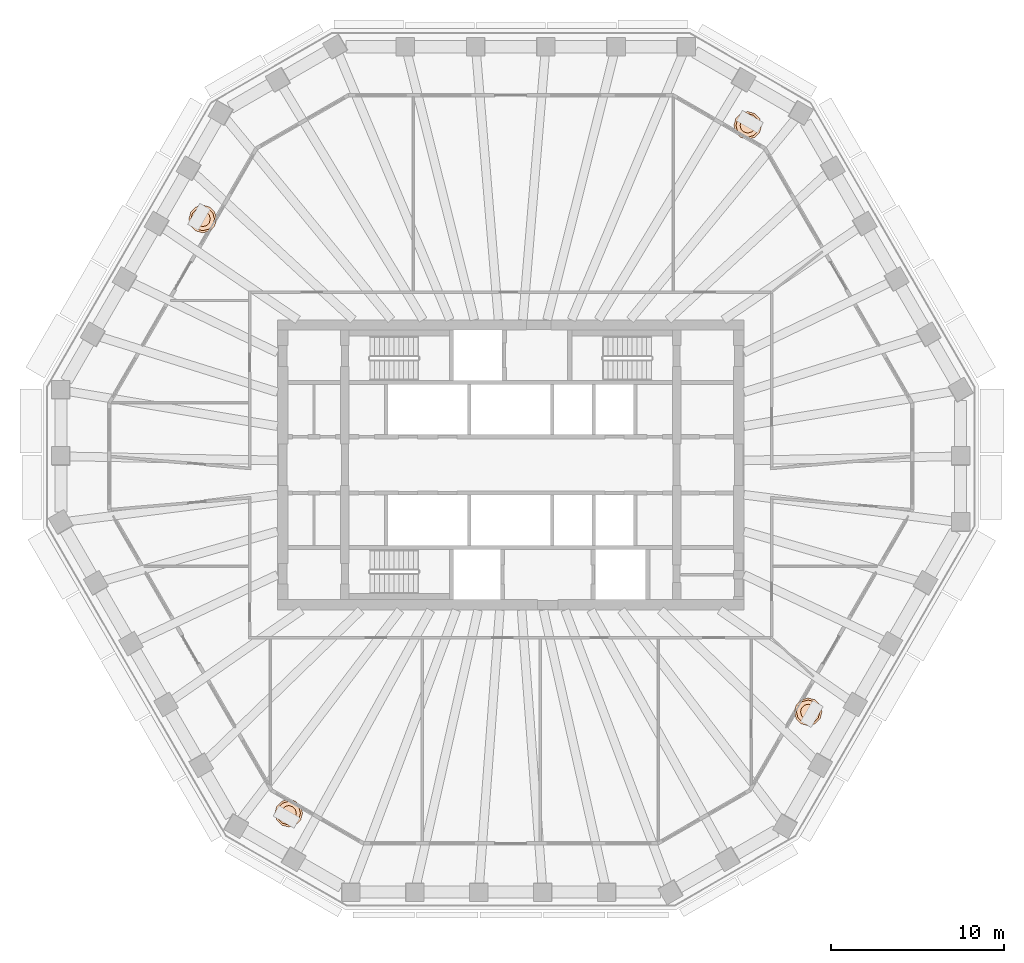
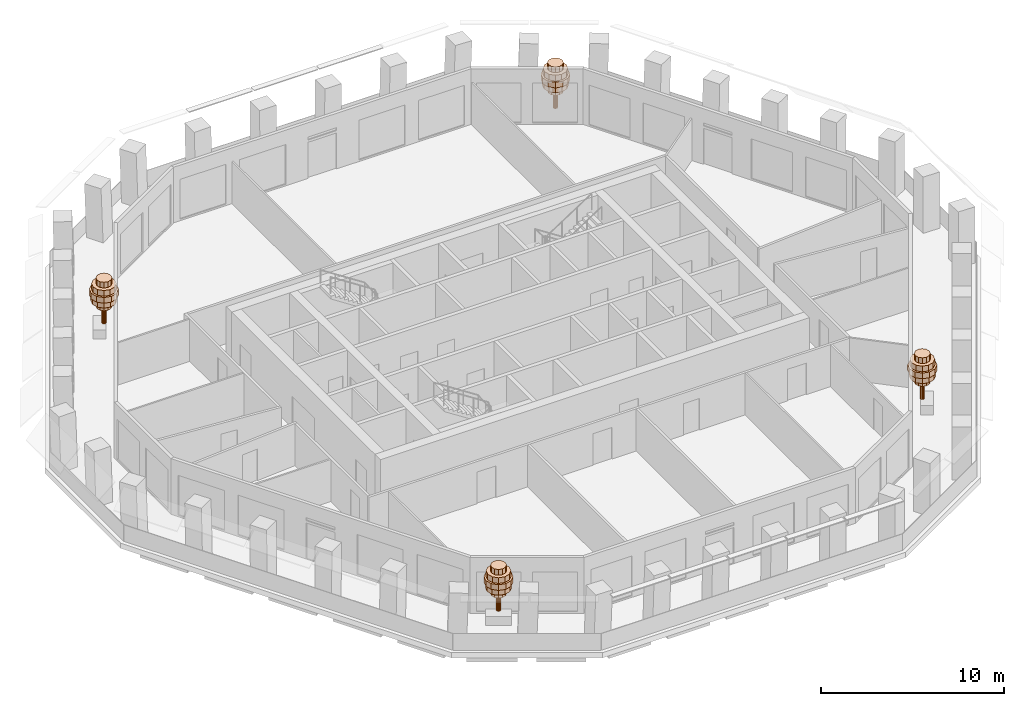
# One storey, part 12 of 12: 4 geographic elements.
"""IFC4 building model written with IfcOpenShell, lengths in metres."""

from ifc_helpers import new_model, si_unit, direction, frame, origin, place, context, subcontext, project, spatial, polyline, outline, extrude, material, type_object, element, save


model = new_model("IFC4")

# Units and contexts
model_context = context("Model", 3, precision=1e-05, world=origin(), true_north=direction((0.0, 1.0)))
body_context = subcontext(model_context, "Body", "Model", "MODEL_VIEW")
ifc_project = project(units=[si_unit("LENGTHUNIT", "METRE"), si_unit("AREAUNIT", "SQUARE_METRE"), si_unit("VOLUMEUNIT", "CUBIC_METRE"), si_unit("PLANEANGLEUNIT", "RADIAN"), si_unit("MASSUNIT", "GRAM", prefix="KILO")], contexts=[model_context])

# Site, building, storey
site_placement = place(None, origin())
site = spatial("IfcSite", under=ifc_project, at=site_placement, CompositionType="ELEMENT")
building_placement = place(site_placement, origin())
building = spatial("IfcBuilding", under=site, at=building_placement, Name="Frailejon Research Tower", CompositionType="ELEMENT")
storey_placement = place(building_placement, frame((0.0, 0.0, 227.39990234375)))
storey = spatial("IfcBuildingStorey", under=building, at=storey_placement, Name="L49", CompositionType="ELEMENT", Elevation=227.39990234375)

# Geographic elements
ifc_material = material(Name="Foliage, green")
geographic_element_type = type_object("IfcGeographicElementType", Name="Frailejon tree, loggia", PredefinedType="USERDEFINED", material=ifc_material)
geographic_element_1_placement = place(storey_placement, frame((13.716552734375, 19.64892578125, 0.60009765625)))
element("IfcGeographicElement", 1, at=geographic_element_1_placement, inside=storey, type_object=geographic_element_type, Name="Tree L49", ObjectType="TREE", PredefinedType="USERDEFINED", context=body_context, shape_type="SweptSolid", body=[
    extrude(outline(polyline([(0.1298828125, 0.0), (0.112548828125, 0.06494140625), (0.06494140625, 0.112548828125), (0.0, 0.1298828125), (-0.06494140625, 0.112548828125), (-0.112548828125, 0.06494140625), (-0.1298828125, 0.0), (-0.112548828125, -0.06494140625), (-0.06494140625, -0.112548828125), (0.0, -0.1298828125), (0.06494140625, -0.112548828125), (0.112548828125, -0.06494140625), (0.1298828125, 0.0)])), origin(), (0.0, 0.0, 1.0), 2.239990234375),
    extrude(outline(polyline([(0.43994140625, 0.0), (0.381103515625, 0.219970703125), (0.219970703125, 0.381103515625), (0.0, 0.43994140625), (-0.219970703125, 0.381103515625), (-0.381103515625, 0.219970703125), (-0.43994140625, 0.0), (-0.381103515625, -0.219970703125), (-0.219970703125, -0.381103515625), (0.0, -0.43994140625), (0.219970703125, -0.381103515625), (0.381103515625, -0.219970703125), (0.43994140625, 0.0)])), frame((0.0, 0.0, 1.10009765625)), (0.0, 0.0, 1.0), 0.3798828125),
    extrude(outline(polyline([(0.719970703125, 0.0), (0.62353515625, 0.360107421875), (0.360107421875, 0.62353515625), (0.0, 0.719970703125), (-0.360107421875, 0.62353515625), (-0.62353515625, 0.360107421875), (-0.719970703125, 0.0), (-0.62353515625, -0.360107421875), (-0.360107421875, -0.62353515625), (0.0, -0.719970703125), (0.360107421875, -0.62353515625), (0.62353515625, -0.360107421875), (0.719970703125, 0.0)])), frame((0.0, 0.0, 1.47998046875)), (0.0, 0.0, 1.0), 0.3798828125),
    extrude(outline(polyline([(0.800048828125, 0.0), (0.69287109375, 0.39990234375), (0.39990234375, 0.69287109375), (0.0, 0.800048828125), (-0.39990234375, 0.69287109375), (-0.69287109375, 0.39990234375), (-0.800048828125, 0.0), (-0.69287109375, -0.39990234375), (-0.39990234375, -0.69287109375), (0.0, -0.800048828125), (0.39990234375, -0.69287109375), (0.69287109375, -0.39990234375), (0.800048828125, 0.0)])), frame((0.0, 0.0, 1.860107421875)), (0.0, 0.0, 1.0), 0.3798828125),
    extrude(outline(polyline([(0.679931640625, 0.0), (0.5888671875, 0.340087890625), (0.340087890625, 0.5888671875), (0.0, 0.679931640625), (-0.340087890625, 0.5888671875), (-0.5888671875, 0.340087890625), (-0.679931640625, 0.0), (-0.5888671875, -0.340087890625), (-0.340087890625, -0.5888671875), (0.0, -0.679931640625), (0.340087890625, -0.5888671875), (0.5888671875, -0.340087890625), (0.679931640625, 0.0)])), frame((0.0, 0.0, 2.239990234375)), (0.0, 0.0, 1.0), 0.3798828125),
    extrude(outline(polyline([(0.43994140625, 0.0), (0.381103515625, 0.219970703125), (0.219970703125, 0.381103515625), (0.0, 0.43994140625), (-0.219970703125, 0.381103515625), (-0.381103515625, 0.219970703125), (-0.43994140625, 0.0), (-0.381103515625, -0.219970703125), (-0.219970703125, -0.381103515625), (0.0, -0.43994140625), (0.219970703125, -0.381103515625), (0.381103515625, -0.219970703125), (0.43994140625, 0.0)])), frame((0.0, 0.0, 2.6201171875)), (0.0, 0.0, 1.0), 0.3798828125),
])
geographic_element_2_placement = place(storey_placement, frame((-17.823486328125, 14.234619140625, 0.60009765625)))
element("IfcGeographicElement", 2, at=geographic_element_2_placement, inside=storey, type_object=geographic_element_type, Name="Tree L49", ObjectType="TREE", PredefinedType="USERDEFINED", context=body_context, shape_type="SweptSolid", body=[
    extrude(outline(polyline([(0.1298828125, 0.0), (0.112548828125, 0.06494140625), (0.06494140625, 0.112548828125), (0.0, 0.1298828125), (-0.06494140625, 0.112548828125), (-0.112548828125, 0.06494140625), (-0.1298828125, 0.0), (-0.112548828125, -0.06494140625), (-0.06494140625, -0.112548828125), (0.0, -0.1298828125), (0.06494140625, -0.112548828125), (0.112548828125, -0.06494140625), (0.1298828125, 0.0)])), origin(), (0.0, 0.0, 1.0), 2.239990234375),
    extrude(outline(polyline([(0.43994140625, 0.0), (0.381103515625, 0.219970703125), (0.219970703125, 0.381103515625), (0.0, 0.43994140625), (-0.219970703125, 0.381103515625), (-0.381103515625, 0.219970703125), (-0.43994140625, 0.0), (-0.381103515625, -0.219970703125), (-0.219970703125, -0.381103515625), (0.0, -0.43994140625), (0.219970703125, -0.381103515625), (0.381103515625, -0.219970703125), (0.43994140625, 0.0)])), frame((0.0, 0.0, 1.10009765625)), (0.0, 0.0, 1.0), 0.3798828125),
    extrude(outline(polyline([(0.719970703125, 0.0), (0.62353515625, 0.360107421875), (0.360107421875, 0.62353515625), (0.0, 0.719970703125), (-0.360107421875, 0.62353515625), (-0.62353515625, 0.360107421875), (-0.719970703125, 0.0), (-0.62353515625, -0.360107421875), (-0.360107421875, -0.62353515625), (0.0, -0.719970703125), (0.360107421875, -0.62353515625), (0.62353515625, -0.360107421875), (0.719970703125, 0.0)])), frame((0.0, 0.0, 1.47998046875)), (0.0, 0.0, 1.0), 0.3798828125),
    extrude(outline(polyline([(0.800048828125, 0.0), (0.69287109375, 0.39990234375), (0.39990234375, 0.69287109375), (0.0, 0.800048828125), (-0.39990234375, 0.69287109375), (-0.69287109375, 0.39990234375), (-0.800048828125, 0.0), (-0.69287109375, -0.39990234375), (-0.39990234375, -0.69287109375), (0.0, -0.800048828125), (0.39990234375, -0.69287109375), (0.69287109375, -0.39990234375), (0.800048828125, 0.0)])), frame((0.0, 0.0, 1.860107421875)), (0.0, 0.0, 1.0), 0.3798828125),
    extrude(outline(polyline([(0.679931640625, 0.0), (0.5888671875, 0.340087890625), (0.340087890625, 0.5888671875), (0.0, 0.679931640625), (-0.340087890625, 0.5888671875), (-0.5888671875, 0.340087890625), (-0.679931640625, 0.0), (-0.5888671875, -0.340087890625), (-0.340087890625, -0.5888671875), (0.0, -0.679931640625), (0.340087890625, -0.5888671875), (0.5888671875, -0.340087890625), (0.679931640625, 0.0)])), frame((0.0, 0.0, 2.239990234375)), (0.0, 0.0, 1.0), 0.3798828125),
    extrude(outline(polyline([(0.43994140625, 0.0), (0.381103515625, 0.219970703125), (0.219970703125, 0.381103515625), (0.0, 0.43994140625), (-0.219970703125, 0.381103515625), (-0.381103515625, 0.219970703125), (-0.43994140625, 0.0), (-0.381103515625, -0.219970703125), (-0.219970703125, -0.381103515625), (0.0, -0.43994140625), (0.219970703125, -0.381103515625), (0.381103515625, -0.219970703125), (0.43994140625, 0.0)])), frame((0.0, 0.0, 2.6201171875)), (0.0, 0.0, 1.0), 0.3798828125),
])
geographic_element_3_placement = place(storey_placement, frame((-12.845703125, -20.151611328125, 0.60009765625)))
element("IfcGeographicElement", 3, at=geographic_element_3_placement, inside=storey, type_object=geographic_element_type, Name="Tree L49", ObjectType="TREE", PredefinedType="USERDEFINED", context=body_context, shape_type="SweptSolid", body=[
    extrude(outline(polyline([(0.1298828125, 0.0), (0.112548828125, 0.06494140625), (0.06494140625, 0.112548828125), (0.0, 0.1298828125), (-0.06494140625, 0.112548828125), (-0.112548828125, 0.06494140625), (-0.1298828125, 0.0), (-0.112548828125, -0.06494140625), (-0.06494140625, -0.112548828125), (0.0, -0.1298828125), (0.06494140625, -0.112548828125), (0.112548828125, -0.06494140625), (0.1298828125, 0.0)])), origin(), (0.0, 0.0, 1.0), 2.239990234375),
    extrude(outline(polyline([(0.43994140625, 0.0), (0.381103515625, 0.219970703125), (0.219970703125, 0.381103515625), (0.0, 0.43994140625), (-0.219970703125, 0.381103515625), (-0.381103515625, 0.219970703125), (-0.43994140625, 0.0), (-0.381103515625, -0.219970703125), (-0.219970703125, -0.381103515625), (0.0, -0.43994140625), (0.219970703125, -0.381103515625), (0.381103515625, -0.219970703125), (0.43994140625, 0.0)])), frame((0.0, 0.0, 1.10009765625)), (0.0, 0.0, 1.0), 0.3798828125),
    extrude(outline(polyline([(0.719970703125, 0.0), (0.62353515625, 0.360107421875), (0.360107421875, 0.62353515625), (0.0, 0.719970703125), (-0.360107421875, 0.62353515625), (-0.62353515625, 0.360107421875), (-0.719970703125, 0.0), (-0.62353515625, -0.360107421875), (-0.360107421875, -0.62353515625), (0.0, -0.719970703125), (0.360107421875, -0.62353515625), (0.62353515625, -0.360107421875), (0.719970703125, 0.0)])), frame((0.0, 0.0, 1.47998046875)), (0.0, 0.0, 1.0), 0.3798828125),
    extrude(outline(polyline([(0.800048828125, 0.0), (0.69287109375, 0.39990234375), (0.39990234375, 0.69287109375), (0.0, 0.800048828125), (-0.39990234375, 0.69287109375), (-0.69287109375, 0.39990234375), (-0.800048828125, 0.0), (-0.69287109375, -0.39990234375), (-0.39990234375, -0.69287109375), (0.0, -0.800048828125), (0.39990234375, -0.69287109375), (0.69287109375, -0.39990234375), (0.800048828125, 0.0)])), frame((0.0, 0.0, 1.860107421875)), (0.0, 0.0, 1.0), 0.3798828125),
    extrude(outline(polyline([(0.679931640625, 0.0), (0.5888671875, 0.340087890625), (0.340087890625, 0.5888671875), (0.0, 0.679931640625), (-0.340087890625, 0.5888671875), (-0.5888671875, 0.340087890625), (-0.679931640625, 0.0), (-0.5888671875, -0.340087890625), (-0.340087890625, -0.5888671875), (0.0, -0.679931640625), (0.340087890625, -0.5888671875), (0.5888671875, -0.340087890625), (0.679931640625, 0.0)])), frame((0.0, 0.0, 2.239990234375)), (0.0, 0.0, 1.0), 0.3798828125),
    extrude(outline(polyline([(0.43994140625, 0.0), (0.381103515625, 0.219970703125), (0.219970703125, 0.381103515625), (0.0, 0.43994140625), (-0.219970703125, 0.381103515625), (-0.381103515625, 0.219970703125), (-0.43994140625, 0.0), (-0.381103515625, -0.219970703125), (-0.219970703125, -0.381103515625), (0.0, -0.43994140625), (0.219970703125, -0.381103515625), (0.381103515625, -0.219970703125), (0.43994140625, 0.0)])), frame((0.0, 0.0, 2.6201171875)), (0.0, 0.0, 1.0), 0.3798828125),
])
geographic_element_4_placement = place(storey_placement, frame((17.2138671875, -14.284912109375, 0.60009765625)))
element("IfcGeographicElement", 4, at=geographic_element_4_placement, inside=storey, type_object=geographic_element_type, Name="Tree L49", ObjectType="TREE", PredefinedType="USERDEFINED", context=body_context, shape_type="SweptSolid", body=[
    extrude(outline(polyline([(0.1298828125, 0.0), (0.112548828125, 0.06494140625), (0.06494140625, 0.112548828125), (0.0, 0.1298828125), (-0.06494140625, 0.112548828125), (-0.112548828125, 0.06494140625), (-0.1298828125, 0.0), (-0.112548828125, -0.06494140625), (-0.06494140625, -0.112548828125), (0.0, -0.1298828125), (0.06494140625, -0.112548828125), (0.112548828125, -0.06494140625), (0.1298828125, 0.0)])), origin(), (0.0, 0.0, 1.0), 2.239990234375),
    extrude(outline(polyline([(0.43994140625, 0.0), (0.381103515625, 0.219970703125), (0.219970703125, 0.381103515625), (0.0, 0.43994140625), (-0.219970703125, 0.381103515625), (-0.381103515625, 0.219970703125), (-0.43994140625, 0.0), (-0.381103515625, -0.219970703125), (-0.219970703125, -0.381103515625), (0.0, -0.43994140625), (0.219970703125, -0.381103515625), (0.381103515625, -0.219970703125), (0.43994140625, 0.0)])), frame((0.0, 0.0, 1.10009765625)), (0.0, 0.0, 1.0), 0.3798828125),
    extrude(outline(polyline([(0.719970703125, 0.0), (0.62353515625, 0.360107421875), (0.360107421875, 0.62353515625), (0.0, 0.719970703125), (-0.360107421875, 0.62353515625), (-0.62353515625, 0.360107421875), (-0.719970703125, 0.0), (-0.62353515625, -0.360107421875), (-0.360107421875, -0.62353515625), (0.0, -0.719970703125), (0.360107421875, -0.62353515625), (0.62353515625, -0.360107421875), (0.719970703125, 0.0)])), frame((0.0, 0.0, 1.47998046875)), (0.0, 0.0, 1.0), 0.3798828125),
    extrude(outline(polyline([(0.800048828125, 0.0), (0.69287109375, 0.39990234375), (0.39990234375, 0.69287109375), (0.0, 0.800048828125), (-0.39990234375, 0.69287109375), (-0.69287109375, 0.39990234375), (-0.800048828125, 0.0), (-0.69287109375, -0.39990234375), (-0.39990234375, -0.69287109375), (0.0, -0.800048828125), (0.39990234375, -0.69287109375), (0.69287109375, -0.39990234375), (0.800048828125, 0.0)])), frame((0.0, 0.0, 1.860107421875)), (0.0, 0.0, 1.0), 0.3798828125),
    extrude(outline(polyline([(0.679931640625, 0.0), (0.5888671875, 0.340087890625), (0.340087890625, 0.5888671875), (0.0, 0.679931640625), (-0.340087890625, 0.5888671875), (-0.5888671875, 0.340087890625), (-0.679931640625, 0.0), (-0.5888671875, -0.340087890625), (-0.340087890625, -0.5888671875), (0.0, -0.679931640625), (0.340087890625, -0.5888671875), (0.5888671875, -0.340087890625), (0.679931640625, 0.0)])), frame((0.0, 0.0, 2.239990234375)), (0.0, 0.0, 1.0), 0.3798828125),
    extrude(outline(polyline([(0.43994140625, 0.0), (0.381103515625, 0.219970703125), (0.219970703125, 0.381103515625), (0.0, 0.43994140625), (-0.219970703125, 0.381103515625), (-0.381103515625, 0.219970703125), (-0.43994140625, 0.0), (-0.381103515625, -0.219970703125), (-0.219970703125, -0.381103515625), (0.0, -0.43994140625), (0.219970703125, -0.381103515625), (0.381103515625, -0.219970703125), (0.43994140625, 0.0)])), frame((0.0, 0.0, 2.6201171875)), (0.0, 0.0, 1.0), 0.3798828125),
])

save(model, "model.ifc")
